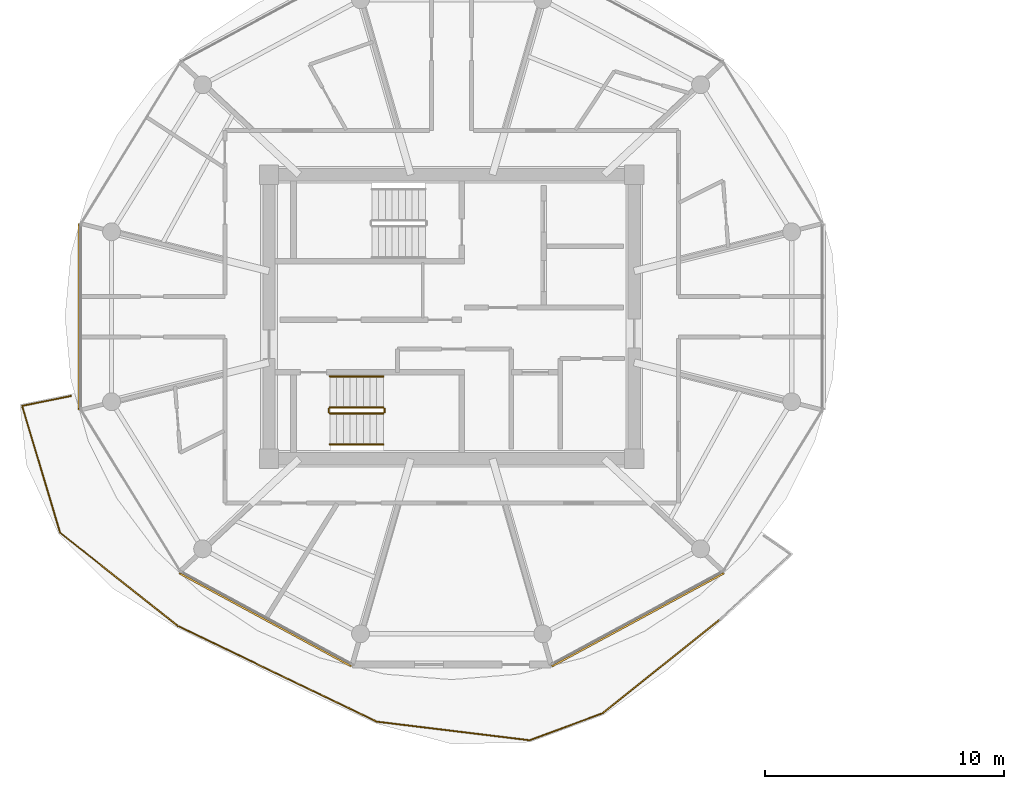
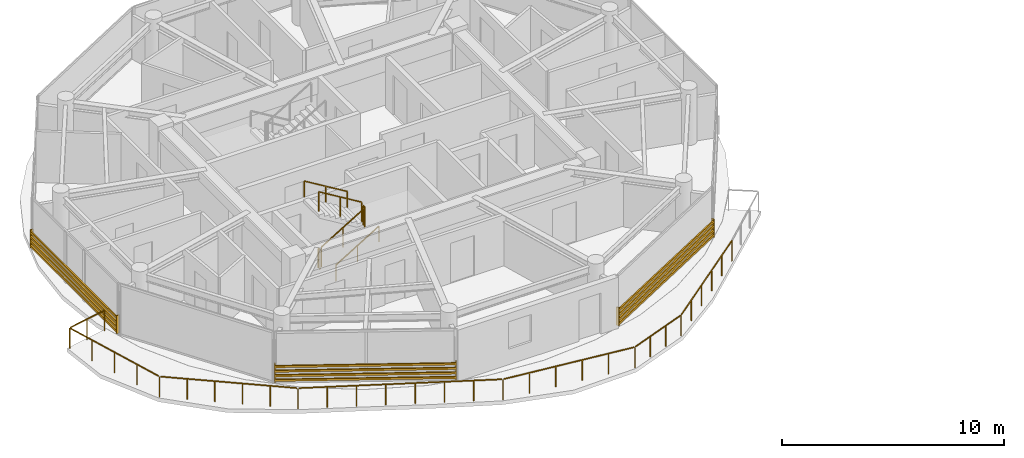
# One storey, part 16 of 19: 7 railings, 3 shading devices.
"""IFC4 building model written with IfcOpenShell, lengths in metres."""

from ifc_helpers import new_model, si_unit, direction, frame, origin, origin_2d, place, context, subcontext, project, spatial, rectangle, extrude, source, transform, mapped, material, type_object, type_shapes, element, save


model = new_model("IFC4")

# Units and contexts
model_context = context("Model", 3, precision=1e-05, world=origin(), true_north=direction((0.0, 1.0)))
body_context = subcontext(model_context, "Body", "Model", "MODEL_VIEW")
ifc_project = project(units=[si_unit("LENGTHUNIT", "METRE"), si_unit("AREAUNIT", "SQUARE_METRE"), si_unit("VOLUMEUNIT", "CUBIC_METRE"), si_unit("PLANEANGLEUNIT", "RADIAN"), si_unit("MASSUNIT", "GRAM", prefix="KILO")], contexts=[model_context])

# Site, building, storey
site_placement = place(None, origin())
site = spatial("IfcSite", under=ifc_project, at=site_placement, CompositionType="ELEMENT")
building_placement = place(site_placement, origin())
building = spatial("IfcBuilding", under=site, at=building_placement, Name="Norrkilde Senior Care Towers", CompositionType="ELEMENT")
storey_placement = place(building_placement, frame((0.0, 0.0, 235.25)))
storey = spatial("IfcBuildingStorey", under=building, at=storey_placement, Name="L73", CompositionType="ELEMENT", Elevation=235.25)

# Railings
ifc_material_1 = material(Name="Anodised Aluminium", Category="aluminium")
railing_type_1 = type_object("IfcRailingType", Name="Balcony Swirl Ribbon Guardrail 1150", PredefinedType="GUARDRAIL", material=ifc_material_1)
railing_1_placement = place(storey_placement, frame((-16.770751953125, -12.689697265625, 0.0)))
element("IfcRailing", 1, at=railing_1_placement, inside=storey, type_object=railing_type_1, Name="L73 Perimeter Safety Guard 02", PredefinedType="GUARDRAIL", context=body_context, shape_type="SweptSolid", body=[
    extrude(rectangle(XDim=0.048095703125, YDim=0.048095703125, at=origin_2d()), frame((0.0, 0.0, 1.1259765625), z_axis=(-0.781141749323, -0.624353719829, 0.0), x_axis=(0.624353719829, -0.781141749323, 0.0)), (0.0, 0.0, 1.0), 6.24072265625),
    extrude(rectangle(XDim=0.048095703125, YDim=0.048095703125, at=origin_2d()), frame((-4.945068359375, -3.93603515625, 1.1259765625), z_axis=(-0.937644686554, -0.34759522692, 0.0), x_axis=(0.34759522692, -0.937644686554, 0.0)), (0.0, 0.0, 1.0), 3.173828125),
    extrude(rectangle(XDim=0.048095703125, YDim=0.048095703125, at=origin_2d()), frame((-7.999755859375, -5.048583984375, 1.1259765625), z_axis=(-0.992654866826, 0.120980640464, 0.0), x_axis=(-0.120980640464, -0.992654866826, 0.0)), (0.0, 0.0, 1.0), 6.36376953125),
    extrude(rectangle(XDim=0.048095703125, YDim=0.048095703125, at=origin_2d()), frame((-14.394287109375, -4.255859375, 1.1259765625), z_axis=(-0.901323182285, 0.433147227943, 0.0), x_axis=(-0.433147227943, -0.901323182285, 0.0)), (0.0, 0.0, 1.0), 9.1669921875),
    extrude(rectangle(XDim=0.048095703125, YDim=0.048095703125, at=origin_2d()), frame((-22.7255859375, -0.2421875, 1.1259765625), z_axis=(-0.784361161784, 0.620304415497, 0.0), x_axis=(-0.620304415497, -0.784361161784, 0.0)), (0.0, 0.0, 1.0), 6.211669921875),
    extrude(rectangle(XDim=0.048095703125, YDim=0.048095703125, at=origin_2d()), frame((-27.6416015625, 3.67529296875, 1.1259765625), z_axis=(-0.287315617026, 0.957835965191, 0.0), x_axis=(-0.957835965191, -0.287315617026, 0.0)), (0.0, 0.0, 1.0), 5.47119140625),
    extrude(rectangle(XDim=0.048095703125, YDim=0.048095703125, at=origin_2d()), frame((-29.185302734375, 8.963134765625, 1.1259765625), z_axis=(0.980006178226, 0.19896705918, 0.0), x_axis=(-0.19896705918, 0.980006178226, 0.0)), (0.0, 0.0, 1.0), 2.050048828125),
    extrude(rectangle(XDim=0.0419921875, YDim=0.0419921875, at=origin_2d()), origin(), (0.0, 0.0, 1.0), 1.099853515625),
    extrude(rectangle(XDim=0.0419921875, YDim=0.0419921875, at=origin_2d()), frame((-0.9814453125, -0.784423828125, 0.0)), (0.0, 0.0, 1.0), 1.099853515625),
    extrude(rectangle(XDim=0.0419921875, YDim=0.0419921875, at=origin_2d()), frame((-1.962646484375, -1.56884765625, 0.0)), (0.0, 0.0, 1.0), 1.099853515625),
    extrude(rectangle(XDim=0.0419921875, YDim=0.0419921875, at=origin_2d()), frame((-2.944091796875, -2.35302734375, 0.0)), (0.0, 0.0, 1.0), 1.099853515625),
    extrude(rectangle(XDim=0.0419921875, YDim=0.0419921875, at=origin_2d()), frame((-3.92529296875, -3.137451171875, 0.0)), (0.0, 0.0, 1.0), 1.099853515625),
    extrude(rectangle(XDim=0.0419921875, YDim=0.0419921875, at=origin_2d()), frame((-4.90673828125, -3.921875, 0.0)), (0.0, 0.0, 1.0), 1.099853515625),
    extrude(rectangle(XDim=0.0419921875, YDim=0.0419921875, at=origin_2d()), frame((-5.92431640625, -4.299072265625, 0.0)), (0.0, 0.0, 1.0), 1.099853515625),
    extrude(rectangle(XDim=0.0419921875, YDim=0.0419921875, at=origin_2d()), frame((-6.941650390625, -4.67626953125, 0.0)), (0.0, 0.0, 1.0), 1.099853515625),
    extrude(rectangle(XDim=0.0419921875, YDim=0.0419921875, at=origin_2d()), frame((-7.959228515625, -5.053466796875, 0.0)), (0.0, 0.0, 1.0), 1.099853515625),
    extrude(rectangle(XDim=0.0419921875, YDim=0.0419921875, at=origin_2d()), frame((-9.23876953125, -4.8974609375, 0.0)), (0.0, 0.0, 1.0), 1.099853515625),
    extrude(rectangle(XDim=0.0419921875, YDim=0.0419921875, at=origin_2d()), frame((-10.5185546875, -4.741455078125, 0.0)), (0.0, 0.0, 1.0), 1.099853515625),
    extrude(rectangle(XDim=0.0419921875, YDim=0.0419921875, at=origin_2d()), frame((-11.798095703125, -4.585693359375, 0.0)), (0.0, 0.0, 1.0), 1.099853515625),
    extrude(rectangle(XDim=0.0419921875, YDim=0.0419921875, at=origin_2d()), frame((-13.077880859375, -4.4296875, 0.0)), (0.0, 0.0, 1.0), 1.099853515625),
    extrude(rectangle(XDim=0.0419921875, YDim=0.0419921875, at=origin_2d()), frame((-14.357421875, -4.273681640625, 0.0)), (0.0, 0.0, 1.0), 1.099853515625),
    extrude(rectangle(XDim=0.0419921875, YDim=0.0419921875, at=origin_2d()), frame((-15.54833984375, -3.701416015625, 0.0)), (0.0, 0.0, 1.0), 1.099853515625),
    extrude(rectangle(XDim=0.0419921875, YDim=0.0419921875, at=origin_2d()), frame((-16.7392578125, -3.129150390625, 0.0)), (0.0, 0.0, 1.0), 1.099853515625),
    extrude(rectangle(XDim=0.0419921875, YDim=0.0419921875, at=origin_2d()), frame((-17.93017578125, -2.556884765625, 0.0)), (0.0, 0.0, 1.0), 1.099853515625),
    extrude(rectangle(XDim=0.0419921875, YDim=0.0419921875, at=origin_2d()), frame((-19.120849609375, -1.984375, 0.0)), (0.0, 0.0, 1.0), 1.099853515625),
    extrude(rectangle(XDim=0.0419921875, YDim=0.0419921875, at=origin_2d()), frame((-20.311767578125, -1.412109375, 0.0)), (0.0, 0.0, 1.0), 1.099853515625),
    extrude(rectangle(XDim=0.0419921875, YDim=0.0419921875, at=origin_2d()), frame((-21.502685546875, -0.83984375, 0.0)), (0.0, 0.0, 1.0), 1.099853515625),
    extrude(rectangle(XDim=0.0419921875, YDim=0.0419921875, at=origin_2d()), frame((-22.693603515625, -0.267578125, 0.0)), (0.0, 0.0, 1.0), 1.099853515625),
    extrude(rectangle(XDim=0.0419921875, YDim=0.0419921875, at=origin_2d()), frame((-23.680908203125, 0.51318359375, 0.0)), (0.0, 0.0, 1.0), 1.099853515625),
    extrude(rectangle(XDim=0.0419921875, YDim=0.0419921875, at=origin_2d()), frame((-24.668212890625, 1.2939453125, 0.0)), (0.0, 0.0, 1.0), 1.099853515625),
    extrude(rectangle(XDim=0.0419921875, YDim=0.0419921875, at=origin_2d()), frame((-25.6552734375, 2.07470703125, 0.0)), (0.0, 0.0, 1.0), 1.099853515625),
    extrude(rectangle(XDim=0.0419921875, YDim=0.0419921875, at=origin_2d()), frame((-26.642578125, 2.85546875, 0.0)), (0.0, 0.0, 1.0), 1.099853515625),
    extrude(rectangle(XDim=0.0419921875, YDim=0.0419921875, at=origin_2d()), frame((-27.6298828125, 3.63623046875, 0.0)), (0.0, 0.0, 1.0), 1.099853515625),
    extrude(rectangle(XDim=0.0419921875, YDim=0.0419921875, at=origin_2d()), frame((-28.02880859375, 4.9658203125, 0.0)), (0.0, 0.0, 1.0), 1.099853515625),
    extrude(rectangle(XDim=0.0419921875, YDim=0.0419921875, at=origin_2d()), frame((-28.427734375, 6.295654296875, 0.0)), (0.0, 0.0, 1.0), 1.099853515625),
    extrude(rectangle(XDim=0.0419921875, YDim=0.0419921875, at=origin_2d()), frame((-28.826416015625, 7.62548828125, 0.0)), (0.0, 0.0, 1.0), 1.099853515625),
    extrude(rectangle(XDim=0.0419921875, YDim=0.0419921875, at=origin_2d()), frame((-29.225341796875, 8.955078125, 0.0)), (0.0, 0.0, 1.0), 1.099853515625),
    extrude(rectangle(XDim=0.0419921875, YDim=0.0419921875, at=origin_2d()), frame((-28.20068359375, 9.1630859375, 0.0)), (0.0, 0.0, 1.0), 1.099853515625),
    extrude(rectangle(XDim=0.0419921875, YDim=0.0419921875, at=origin_2d()), frame((-27.17626953125, 9.37109375, 0.0)), (0.0, 0.0, 1.0), 1.099853515625),
])
ifc_material_2 = material(Name="Stainless Steel", Category="steel")
railing_type_2 = type_object("IfcRailingType", Name="Stair and Terrace Guardrail 1100", PredefinedType="GUARDRAIL", material=ifc_material_2)
railing_2_placement = place(storey_placement, frame((-33.10009765625, -4.050048828125, 0.16943359375)))
element("IfcRailing", 2, at=railing_2_placement, inside=storey, type_object=railing_type_2, Name="L73 ST-W2 stair guard 1", PredefinedType="GUARDRAIL", context=body_context, shape_type="SweptSolid", body=[
    extrude(rectangle(XDim=0.048095703125, YDim=0.048095703125, at=origin_2d()), frame((0.0, 0.0, 1.076171875), z_axis=(0.855553338991, 0.0, 0.51771467445), x_axis=(0.0, 1.0, 0.0)), (0.0, 0.0, 1.0), 2.6181640625),
    extrude(rectangle(XDim=0.0419921875, YDim=0.0419921875, at=origin_2d()), origin(), (0.0, 0.0, 1.0), 1.050048828125),
    extrude(rectangle(XDim=0.0419921875, YDim=0.0419921875, at=origin_2d()), frame((1.1201171875, 0.0, 0.677734375)), (0.0, 0.0, 1.0), 1.050048828125),
    extrude(rectangle(XDim=0.0419921875, YDim=0.0419921875, at=origin_2d()), frame((2.239990234375, 0.0, 1.35546875)), (0.0, 0.0, 1.0), 1.050048828125),
])
railing_3_placement = place(storey_placement, frame((-30.81005859375, -4.0, 1.52490234375)))
element("IfcRailing", 3, at=railing_3_placement, inside=storey, type_object=railing_type_2, Name="L73 ST-W2 stair guard 2", PredefinedType="GUARDRAIL", context=body_context, shape_type="SweptSolid", body=[
    extrude(rectangle(XDim=0.048095703125, YDim=0.048095703125, at=origin_2d()), frame((0.0, 0.0, 1.076171875), z_axis=(0.0, 1.0, 0.0), x_axis=(-1.0, 0.0, 0.0)), (0.0, 0.0, 1.0), 0.14990234375),
    extrude(rectangle(XDim=0.0419921875, YDim=0.0419921875, at=origin_2d()), origin(), (0.0, 0.0, 1.0), 1.050048828125),
    extrude(rectangle(XDim=0.0419921875, YDim=0.0419921875, at=origin_2d()), frame((0.0, 0.14990234375, 0.0)), (0.0, 0.0, 1.0), 1.050048828125),
])
railing_4_placement = place(storey_placement, frame((-30.860107421875, -3.800048828125, 1.6943359375)))
element("IfcRailing", 4, at=railing_4_placement, inside=storey, type_object=railing_type_2, Name="L73 ST-W2 stair guard 3", PredefinedType="GUARDRAIL", context=body_context, shape_type="SweptSolid", body=[
    extrude(rectangle(XDim=0.048095703125, YDim=0.048095703125, at=origin_2d()), frame((0.0, 0.0, 1.076171875), z_axis=(-0.855512035549, 0.0, 0.517782924622), x_axis=(0.0, -1.0, 0.0)), (0.0, 0.0, 1.0), 2.618408203125),
    extrude(rectangle(XDim=0.0419921875, YDim=0.0419921875, at=origin_2d()), origin(), (0.0, 0.0, 1.0), 1.050048828125),
    extrude(rectangle(XDim=0.0419921875, YDim=0.0419921875, at=origin_2d()), frame((-1.1201171875, 0.0, 0.677734375)), (0.0, 0.0, 1.0), 1.050048828125),
    extrude(rectangle(XDim=0.0419921875, YDim=0.0419921875, at=origin_2d()), frame((-2.239990234375, 0.0, 1.355712890625)), (0.0, 0.0, 1.0), 1.050048828125),
])
railing_5_placement = place(storey_placement, frame((-33.14990234375, -4.0, 0.0)))
element("IfcRailing", 5, at=railing_5_placement, inside=storey, type_object=railing_type_2, Name="L73 ST-W2 stair guard 4", PredefinedType="GUARDRAIL", context=body_context, shape_type="SweptSolid", body=[
    extrude(rectangle(XDim=0.048095703125, YDim=0.048095703125, at=origin_2d()), frame((0.0, 0.0, 1.076171875), z_axis=(0.0, 1.0, 0.0), x_axis=(-1.0, 0.0, 0.0)), (0.0, 0.0, 1.0), 0.14990234375),
    extrude(rectangle(XDim=0.0419921875, YDim=0.0419921875, at=origin_2d()), origin(), (0.0, 0.0, 1.0), 1.050048828125),
    extrude(rectangle(XDim=0.0419921875, YDim=0.0419921875, at=origin_2d()), frame((0.0, 0.14990234375, 0.0)), (0.0, 0.0, 1.0), 1.050048828125),
])
ifc_material_3 = material(Name="Nordic Ash Timber", Category="wood")
railing_type_3 = type_object("IfcRailingType", Name="Wall and Stair Handrail 900", PredefinedType="HANDRAIL", material=ifc_material_3)
railing_6_placement = place(storey_placement, frame((-33.10009765625, -5.35009765625, 0.16943359375)))
element("IfcRailing", 6, at=railing_6_placement, inside=storey, type_object=railing_type_3, Name="L73 ST-W2 stair handrail 1", PredefinedType="HANDRAIL", context=body_context, shape_type="SweptSolid", body=[
    extrude(rectangle(XDim=0.048095703125, YDim=0.048095703125, at=origin_2d()), frame((0.0, 0.0, 0.8759765625), z_axis=(0.855553338991, 0.0, 0.51771467445), x_axis=(0.0, 1.0, 0.0)), (0.0, 0.0, 1.0), 2.6181640625),
    extrude(rectangle(XDim=0.0419921875, YDim=0.0419921875, at=origin_2d()), origin(), (0.0, 0.0, 1.0), 0.849853515625),
    extrude(rectangle(XDim=0.0419921875, YDim=0.0419921875, at=origin_2d()), frame((1.1201171875, 0.0, 0.677734375)), (0.0, 0.0, 1.0), 0.849853515625),
    extrude(rectangle(XDim=0.0419921875, YDim=0.0419921875, at=origin_2d()), frame((2.239990234375, 0.0, 1.35546875)), (0.0, 0.0, 1.0), 0.849853515625),
])
railing_7_placement = place(storey_placement, frame((-30.860107421875, -2.5, 1.6943359375)))
element("IfcRailing", 7, at=railing_7_placement, inside=storey, type_object=railing_type_3, Name="L73 ST-W2 stair handrail 2", PredefinedType="HANDRAIL", context=body_context, shape_type="SweptSolid", body=[
    extrude(rectangle(XDim=0.048095703125, YDim=0.048095703125, at=origin_2d()), frame((0.0, 0.0, 0.8759765625), z_axis=(-0.855512035549, 0.0, 0.517782924622), x_axis=(0.0, -1.0, 0.0)), (0.0, 0.0, 1.0), 2.618408203125),
    extrude(rectangle(XDim=0.0419921875, YDim=0.0419921875, at=origin_2d()), origin(), (0.0, 0.0, 1.0), 0.849853515625),
    extrude(rectangle(XDim=0.0419921875, YDim=0.0419921875, at=origin_2d()), frame((-1.1201171875, 0.0, 0.677734375)), (0.0, 0.0, 1.0), 0.849853515625),
    extrude(rectangle(XDim=0.0419921875, YDim=0.0419921875, at=origin_2d()), frame((-2.239990234375, 0.0, 1.355712890625)), (0.0, 0.0, 1.0), 0.849853515625),
])

# Shading devices
ifc_material_4 = material(Name="Architectural Terracotta", Category="masonry")
shading_device_type = type_object("IfcShadingDeviceType", Name="Horizontal Terracotta Baguette Rack", PredefinedType="USERDEFINED", material=ifc_material_4)
shared_shape_1 = source(origin(), body_context, "Body", "SweptSolid", [
    extrude(rectangle(XDim=0.070068359375, YDim=0.110107421875, at=origin_2d()), frame((0.0, 0.090087890625, 0.125), z_axis=(1.0, 0.0, 0.0), x_axis=(0.0, 1.0, 0.0)), (0.0, 0.0, 1.0), 8.197265625),
    extrude(rectangle(XDim=0.070068359375, YDim=0.110107421875, at=origin_2d()), frame((0.0, 0.090087890625, 0.375), z_axis=(1.0, 0.0, 0.0), x_axis=(0.0, 1.0, 0.0)), (0.0, 0.0, 1.0), 8.197265625),
    extrude(rectangle(XDim=0.070068359375, YDim=0.110107421875, at=origin_2d()), frame((0.0, 0.090087890625, 0.625), z_axis=(1.0, 0.0, 0.0), x_axis=(0.0, 1.0, 0.0)), (0.0, 0.0, 1.0), 8.197265625),
    extrude(rectangle(XDim=0.070068359375, YDim=0.110107421875, at=origin_2d()), frame((0.0, 0.090087890625, 0.875), z_axis=(1.0, 0.0, 0.0), x_axis=(0.0, 1.0, 0.0)), (0.0, 0.0, 1.0), 8.197265625),
    extrude(rectangle(XDim=0.050048828125, YDim=0.1552734375, at=origin_2d()), frame((0.02490234375, 0.047607421875, 0.0)), (0.0, 0.0, 1.0), 1.0),
    extrude(rectangle(XDim=0.050048828125, YDim=0.1552734375, at=origin_2d()), frame((8.17236328125, 0.047607421875, 0.0)), (0.0, 0.0, 1.0), 1.0),
])
for number, where, z_axis, x_axis, name in (
    (8, (-32.161865234375, -14.566162109375, 0.080078125), (0.0, 0.0, 1.0), (-0.879378127234, 0.476143674053, 0.0), "L73 Drum W Terracotta Baguette Screen 07"),
    (9, (-16.629638671875, -10.6630859375, 0.080078125), (0.0, 0.0, 1.0), (-0.879378127234, -0.476143674053, 0.0), "L73 Drum W Terracotta Baguette Screen 09"),
):
    element("IfcShadingDevice", number, at=place(storey_placement, frame(where, z_axis=z_axis, x_axis=x_axis)), inside=storey, type_object=shading_device_type, Name=name, ObjectType="BAGUETTE", PredefinedType="USERDEFINED", context=body_context, shape_type="MappedRepresentation", body=[
        mapped(shared_shape_1, transform((0.0, 0.0, 0.0), x_axis=(1.0, 0.0, 0.0), y_axis=(0.0, 1.0, 0.0), z_axis=(0.0, 0.0, 1.0), scale=1.0)),
    ])
shared_shape_2 = source(origin(), body_context, "Body", "SweptSolid", [
    extrude(rectangle(XDim=0.070068359375, YDim=0.110107421875, at=origin_2d()), frame((0.0, 0.090087890625, 0.125), z_axis=(1.0, 0.0, 0.0), x_axis=(0.0, 1.0, 0.0)), (0.0, 0.0, 1.0), 7.80615234375),
    extrude(rectangle(XDim=0.070068359375, YDim=0.110107421875, at=origin_2d()), frame((0.0, 0.090087890625, 0.375), z_axis=(1.0, 0.0, 0.0), x_axis=(0.0, 1.0, 0.0)), (0.0, 0.0, 1.0), 7.80615234375),
    extrude(rectangle(XDim=0.070068359375, YDim=0.110107421875, at=origin_2d()), frame((0.0, 0.090087890625, 0.625), z_axis=(1.0, 0.0, 0.0), x_axis=(0.0, 1.0, 0.0)), (0.0, 0.0, 1.0), 7.80615234375),
    extrude(rectangle(XDim=0.070068359375, YDim=0.110107421875, at=origin_2d()), frame((0.0, 0.090087890625, 0.875), z_axis=(1.0, 0.0, 0.0), x_axis=(0.0, 1.0, 0.0)), (0.0, 0.0, 1.0), 7.80615234375),
    extrude(rectangle(XDim=0.050048828125, YDim=0.1552734375, at=origin_2d()), frame((0.02490234375, 0.047607421875, 0.0)), (0.0, 0.0, 1.0), 1.0),
    extrude(rectangle(XDim=0.050048828125, YDim=0.1552734375, at=origin_2d()), frame((7.78125, 0.047607421875, 0.0)), (0.0, 0.0, 1.0), 1.0),
])
type_shapes(shading_device_type, [shared_shape_1, shared_shape_2])
shading_device_placement = place(storey_placement, frame((-43.531982421875, -3.903076171875, 0.080078125), z_axis=(0.0, 0.0, 1.0), x_axis=(0.0, 1.0, 0.0)))
element("IfcShadingDevice", 10, at=shading_device_placement, inside=storey, type_object=shading_device_type, Name="L73 Drum W Terracotta Baguette Screen 05", ObjectType="BAGUETTE", PredefinedType="USERDEFINED", context=body_context, shape_type="MappedRepresentation", body=[
    mapped(shared_shape_2, transform((0.0, 0.0, 0.0), x_axis=(1.0, 0.0, 0.0), y_axis=(0.0, 1.0, 0.0), z_axis=(0.0, 0.0, 1.0), scale=1.0)),
])

save(model, "model.ifc")
